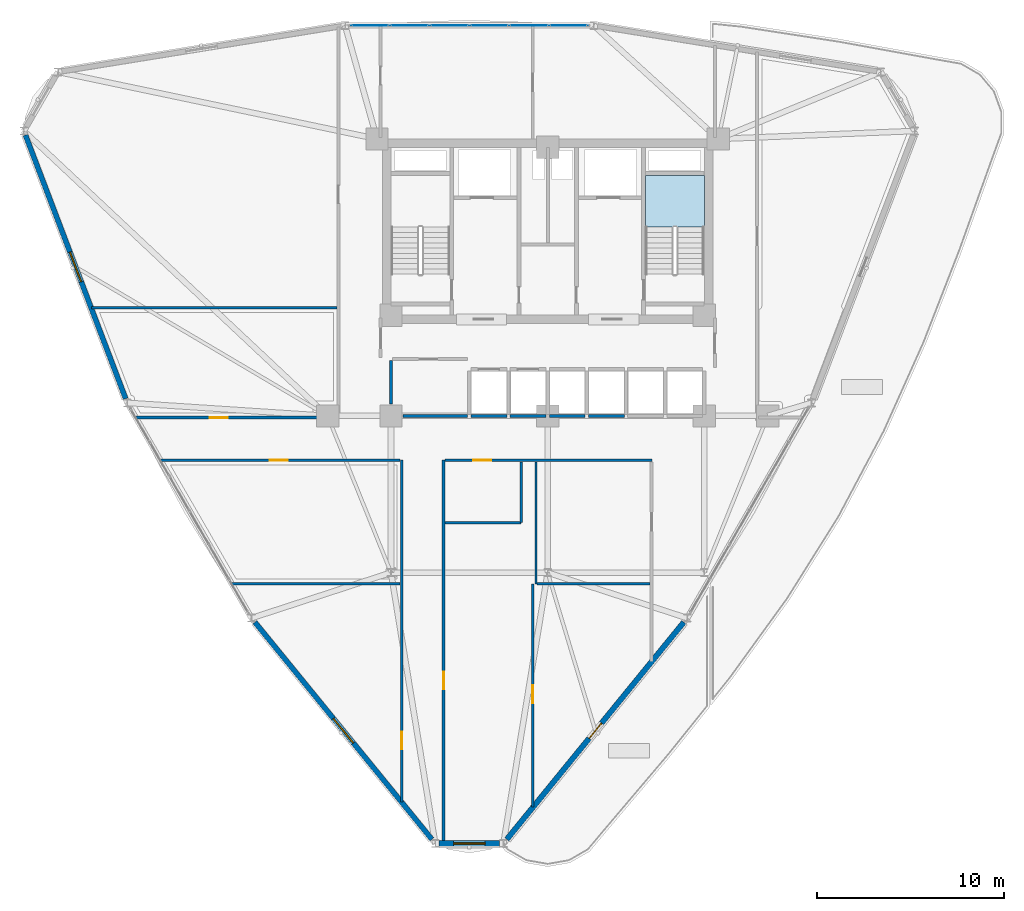
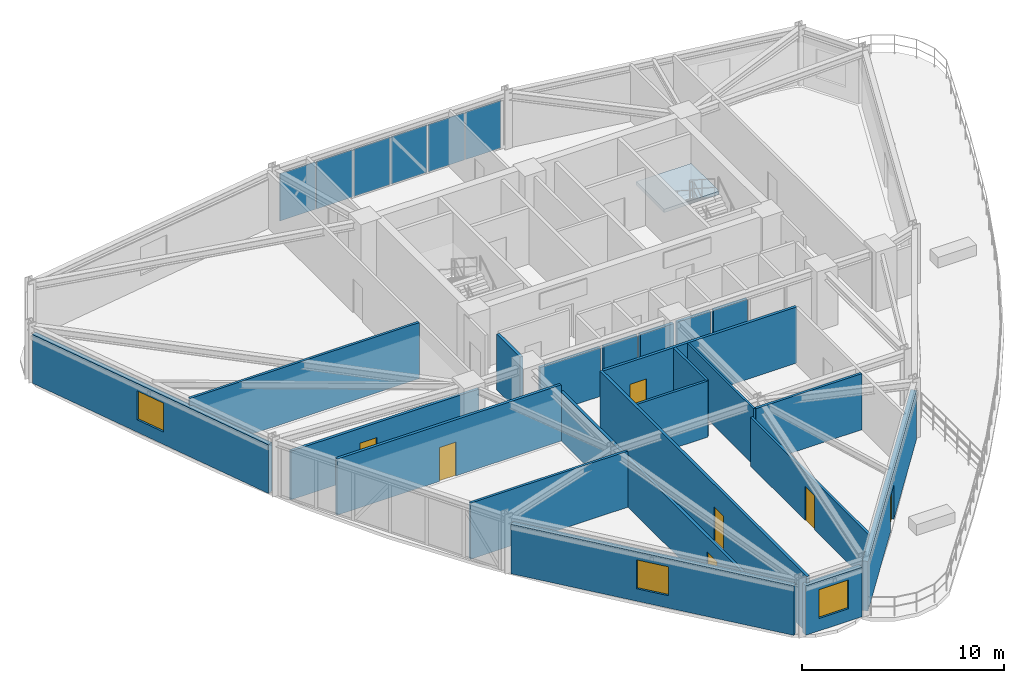
# One storey, part 12 of 18: 22 walls, 7 doors, 6 plates, 3 windows, 1 slab, 10 openings, 2 elements without a shape of their own.
"""IFC4 building model written with IfcOpenShell, lengths in metres."""

from ifc_helpers import new_model, si_unit, derived_unit, direction, frame, frame_2d, origin, origin_2d, place, context, subcontext, project, spatial, polyline, rectangle, outline, extrude, source, transform, mapped, material, layer, layer_set, type_object, element, fill, aggregate, save


model = new_model("IFC4")

# Units and contexts
model_context = context("Model", 3, precision=1e-05, world=origin(), true_north=direction((0.0, 1.0)))
body_context = subcontext(model_context, "Body", "Model", "MODEL_VIEW")
ifc_project = project(units=[si_unit("LENGTHUNIT", "METRE"), si_unit("AREAUNIT", "SQUARE_METRE"), si_unit("VOLUMEUNIT", "CUBIC_METRE"), si_unit("PLANEANGLEUNIT", "RADIAN"), si_unit("MASSUNIT", "GRAM", prefix="KILO"), derived_unit("THERMALTRANSMITTANCEUNIT", [(si_unit("POWERUNIT", "WATT"), 1), (si_unit("LENGTHUNIT", "METRE"), -2), (si_unit("THERMODYNAMICTEMPERATUREUNIT", "KELVIN"), -1)])], contexts=[model_context])

# Site, building, storey
site_placement = place(None, origin())
site = spatial("IfcSite", under=ifc_project, at=site_placement, CompositionType="ELEMENT")
building_placement = place(site_placement, origin())
building = spatial("IfcBuilding", under=site, at=building_placement, Name="Korsvarv Bourse and Concert Hall", CompositionType="ELEMENT")
storey_placement = place(building_placement, frame((0.0, 0.0, 136.199951171875)))
storey = spatial("IfcBuildingStorey", under=building, at=storey_placement, Name="L34", CompositionType="ELEMENT", Elevation=136.199951171875)

# Stair, slab
ifc_material_1 = material(Name="Precast concrete C45/55", Category="concrete")
stair_type = type_object("IfcStairType", Name="STR-TYPE-04", PredefinedType="HALF_TURN_STAIR", material=ifc_material_1)
stair_placement = place(storey_placement, origin())
stair = element("IfcStair", 1, at=stair_placement, inside=storey, type_object=stair_type, Name="L34 Tower East Exit Stair ST-T2", PredefinedType="HALF_TURN_STAIR")
ifc_layer_1 = layer(ifc_material_1, 0.199951171875)
ifc_layer_set_1 = layer_set([ifc_layer_1], Name="Precast concrete C45/55")
slab_type = type_object("IfcSlabType", Name="SLB-ST-LND", PredefinedType="LANDING", material=ifc_layer_set_1)
slab_placement = place(storey_placement, frame((0.0, 0.0, 1.60009765625)))
slab = element("IfcSlab", 2, at=slab_placement, type_object=slab_type, Name="ST-T2 landing 1", PredefinedType="LANDING", context=body_context, shape_type="SweptSolid", body=[
    extrude(outline(polyline([(44.39990234375, 42.52001953125), (44.39990234375, 45.300048828125), (41.239990234375, 45.300048828125), (41.239990234375, 42.52001953125), (44.39990234375, 42.52001953125)])), origin(), (0.0, 0.0, 1.0), 0.199951171875),
])
aggregate(stair, [slab])

# Curtain wall, plates
ifc_material_2 = material(Name="Anodised aluminium and triple low-E glazing", Category="glass")
ifc_layer_2 = layer(ifc_material_2, 0.2099609375)
ifc_layer_set_2 = layer_set([ifc_layer_2], Name="Anodised aluminium and triple low-E glazing")
curtain_wall_type = type_object("IfcCurtainWallType", Name="CW-SYS-2", PredefinedType="NOTDEFINED", material=ifc_layer_set_2)
curtain_wall_placement = place(storey_placement, origin())
curtain_wall = element("IfcCurtainWall", 3, at=curtain_wall_placement, inside=storey, type_object=curtain_wall_type, Name="L34 CW2 curtain wall CW-L34-F03", PredefinedType="NOTDEFINED")
ifc_material_3 = material(Name="Tempered triple insulated low-E architectural glass", Category="glass")
ifc_layer_3 = layer(ifc_material_3, 0.0380859375)
ifc_layer_set_3 = layer_set([ifc_layer_3], Name="Tempered triple insulated low-E architectural glass")
plate_type_1 = type_object("IfcPlateType", Name="CWP-VIS2", PredefinedType="CURTAIN_PANEL", material=ifc_layer_set_3)
shared_shape_1 = source(origin(), body_context, "Body", "SweptSolid", [
    extrude(rectangle(XDim=2.031005859375, YDim=0.0380859375, at=origin_2d()), origin(), (0.0, 0.0, 1.0), 2.8701171875),
])
plate_1_placement = place(storey_placement, frame((37.122314453125, 53.3369140625, 0.06494140625), z_axis=(0.0, 0.0, 1.0), x_axis=(-1.0, 0.0, 0.0)))
plate_1 = element("IfcPlate", 4, at=plate_1_placement, type_object=plate_type_1, Name="CW2 faceted panel 1.1", PredefinedType="CURTAIN_PANEL", context=body_context, shape_type="MappedRepresentation", body=[
    mapped(shared_shape_1, transform((0.0, 0.0, 0.0), scale=1.0)),
])
shared_shape_2 = source(origin(), body_context, "Body", "SweptSolid", [
    extrude(rectangle(XDim=2.06591796875, YDim=0.0380859375, at=origin_2d()), origin(), (0.0, 0.0, 1.0), 2.8701171875),
])
plate_2_placement = place(storey_placement, frame((35.00390625, 53.3369140625, 0.06494140625), z_axis=(0.0, 0.0, 1.0), x_axis=(-1.0, 0.0, 0.0)))
plate_2 = element("IfcPlate", 5, at=plate_2_placement, type_object=plate_type_1, Name="CW2 faceted panel 2.1", PredefinedType="CURTAIN_PANEL", context=body_context, shape_type="MappedRepresentation", body=[
    mapped(shared_shape_2, transform((0.0, 0.0, 0.0), scale=1.0)),
])
plate_3_placement = place(storey_placement, frame((30.73193359375, 53.3369140625, 0.06494140625), z_axis=(0.0, 0.0, 1.0), x_axis=(-1.0, 0.0, 0.0)))
plate_3 = element("IfcPlate", 6, at=plate_3_placement, type_object=plate_type_1, Name="CW2 faceted panel 4.1", PredefinedType="CURTAIN_PANEL", context=body_context, shape_type="MappedRepresentation", body=[
    mapped(shared_shape_2, transform((0.0, 0.0, 0.0), scale=1.0)),
])
plate_4_placement = place(storey_placement, frame((28.59619140625, 53.3369140625, 0.06494140625), z_axis=(0.0, 0.0, 1.0), x_axis=(-1.0, 0.0, 0.0)))
plate_4 = element("IfcPlate", 7, at=plate_4_placement, type_object=plate_type_1, Name="CW2 faceted panel 5.1", PredefinedType="CURTAIN_PANEL", context=body_context, shape_type="MappedRepresentation", body=[
    mapped(shared_shape_2, transform((0.0, 0.0, 0.0), scale=1.0)),
])
ifc_material_4 = material(Name="Insulated spandrel glass", Category="glass")
ifc_layer_4 = layer(ifc_material_4, 0.031982421875)
ifc_layer_set_4 = layer_set([ifc_layer_4], Name="Insulated spandrel glass")
plate_type_2 = type_object("IfcPlateType", Name="CWP-SPD1", PredefinedType="CURTAIN_PANEL", material=ifc_layer_set_4)
shared_shape_3 = source(origin(), body_context, "Body", "SweptSolid", [
    extrude(rectangle(XDim=2.06591796875, YDim=0.031982421875, at=origin_2d()), origin(), (0.0, 0.0, 1.0), 2.8701171875),
])
plate_5_placement = place(storey_placement, frame((32.867919921875, 53.3369140625, 0.06494140625), z_axis=(0.0, 0.0, 1.0), x_axis=(-1.0, 0.0, 0.0)))
plate_5 = element("IfcPlate", 8, at=plate_5_placement, type_object=plate_type_2, Name="CW2 spandrel shadow-box panel 3.1", PredefinedType="CURTAIN_PANEL", context=body_context, shape_type="MappedRepresentation", body=[
    mapped(shared_shape_3, transform((0.0, 0.0, 0.0), scale=1.0)),
])
shared_shape_4 = source(origin(), body_context, "Body", "SweptSolid", [
    extrude(rectangle(XDim=2.031005859375, YDim=0.031982421875, at=origin_2d()), origin(), (0.0, 0.0, 1.0), 2.8701171875),
])
plate_6_placement = place(storey_placement, frame((26.477783203125, 53.3369140625, 0.06494140625), z_axis=(0.0, 0.0, 1.0), x_axis=(-1.0, 0.0, 0.0)))
plate_6 = element("IfcPlate", 9, at=plate_6_placement, type_object=plate_type_2, Name="CW2 spandrel shadow-box panel 6.1", PredefinedType="CURTAIN_PANEL", context=body_context, shape_type="MappedRepresentation", body=[
    mapped(shared_shape_4, transform((0.0, 0.0, 0.0), scale=1.0)),
])
aggregate(curtain_wall, [plate_1, plate_2, plate_5, plate_3, plate_4, plate_6])

# Wall, opening, window
ifc_material_5 = material(Name="Precast concrete C45/55 with terracotta rainscreen", Category="concrete")
ifc_layer_5 = layer(ifc_material_5, 0.300048828125)
ifc_layer_set_5 = layer_set([ifc_layer_5], Name="Precast concrete C45/55 with terracotta rainscreen")
wall_type_1 = type_object("IfcWallType", Name="WL-EXT-TC1", PredefinedType="SOLIDWALL", material=ifc_layer_set_5)
wall_1_placement = place(storey_placement, frame((30.181396484375, 9.47509765625, 0.0), z_axis=(0.0, 0.0, 1.0), x_axis=(1.0, 0.0, 0.0)))
wall_1 = element("IfcWall", 10, at=wall_1_placement, inside=storey, type_object=wall_type_1, Name="L34 terracotta exterior wall EW-L34-B09", PredefinedType="SOLIDWALL", context=body_context, shape_type="SweptSolid", body=[
    extrude(rectangle(XDim=3.2373046875, YDim=0.300048828125, at=frame_2d((1.61865234375, 0.0))), origin(), (0.0, 0.0, 1.0), 3.0),
])
opening_1_placement = place(wall_1_placement, frame((0.768798828125, 0.0, 0.75)))
opening_1 = element("IfcOpeningElement", 11, at=opening_1_placement, cuts=wall_1, Name="Opening W-01", PredefinedType="OPENING", context=body_context, shape_type="SweptSolid", body=[
    extrude(rectangle(XDim=1.699951171875, YDim=1.75, at=frame_2d((0.85009765625, 0.875))), frame((0.0, 0.16015625, 0.0), z_axis=(0.0, -1.0, 0.0), x_axis=(1.0, 0.0, 0.0)), (0.0, 0.0, 1.0), 0.320068359375),
])
ifc_material_6 = material(Name="Thermally broken aluminium frame with triple low-E glass", Category="glass")
window_type = type_object("IfcWindowType", Name="WIN-TW1", PartitioningType="SINGLE_PANEL", PredefinedType="WINDOW", material=ifc_material_6)
window_1_placement = place(opening_1_placement, origin())
window_1 = element("IfcWindow", 12, at=window_1_placement, inside=storey, type_object=window_type, Name="L34 punched facade window W-01", OverallHeight=1.75, OverallWidth=1.699951171875, PartitioningType="SINGLE_PANEL", PredefinedType="WINDOW", context=body_context, shape_type="SweptSolid", body=[
    extrude(rectangle(XDim=1.699951171875, YDim=1.75, at=frame_2d((0.85009765625, 0.875))), frame((0.0, 0.030029296875, 0.0), z_axis=(0.0, -1.0, 0.0), x_axis=(1.0, 0.0, 0.0)), (0.0, 0.0, 1.0), 0.06005859375),
])
fill(opening_1, window_1)

# Wall, opening, door
wall_2_placement = place(storey_placement, frame((33.81103515625, 9.697509765625, 0.0), z_axis=(0.0, 0.0, 1.0), x_axis=(0.631882431987, 0.775064250334, 0.0)))
wall_2 = element("IfcWall", 13, at=wall_2_placement, inside=storey, type_object=wall_type_1, Name="L34 terracotta exterior wall EW-L34-B10", PredefinedType="SOLIDWALL", context=body_context, shape_type="SweptSolid", body=[
    extrude(rectangle(XDim=15.0185546875, YDim=0.300048828125, at=frame_2d((7.50927734375, 0.0))), origin(), (0.0, 0.0, 1.0), 3.0),
])
opening_2_placement = place(wall_2_placement, frame((6.984375, 0.0, 0.0)))
opening_2 = element("IfcOpeningElement", 14, at=opening_2_placement, cuts=wall_2, Name="Opening ED-02", PredefinedType="OPENING", context=body_context, shape_type="SweptSolid", body=[
    extrude(rectangle(XDim=1.050048828125, YDim=2.10009765625, at=frame_2d((0.52490234375, 1.050048828125))), frame((0.0, 0.16015625, 0.0), z_axis=(0.0, -1.0, 0.0), x_axis=(1.0, 0.0, 0.0)), (0.0, 0.0, 1.0), 0.320068359375),
])
ifc_material_7 = material(Name="Thermally broken anodised aluminium and laminated safety glass", Category="aluminium")
door_type_1 = type_object("IfcDoorType", Name="DR-EXT-TERR", OperationType="NOTDEFINED", PredefinedType="DOOR", material=ifc_material_7)
door_1_placement = place(opening_2_placement, frame((1.050048828125, 0.0, 0.0), z_axis=(0.0, 0.0, 1.0), x_axis=(-1.0, 0.0, 0.0)))
door_1 = element("IfcDoor", 15, at=door_1_placement, inside=storey, type_object=door_type_1, Name="L34 Sky Garden Terrace Access Door", OperationType="SINGLE_SWING_RIGHT", OverallHeight=2.10009765625, OverallWidth=1.050048828125, PredefinedType="DOOR", context=body_context, shape_type="SweptSolid", body=[
    extrude(rectangle(XDim=1.050048828125, YDim=2.10009765625, at=frame_2d((0.52490234375, 1.050048828125))), frame((0.0, 0.02490234375, 0.0), z_axis=(0.0, -1.0, 0.0), x_axis=(1.0, 0.0, 0.0)), (0.0, 0.0, 1.0), 0.050048828125),
])
fill(opening_2, door_1)

# Wall, opening, window
ifc_material_8 = material(Name="Precast concrete C45/55 with fluted terracotta pier", Category="concrete")
ifc_layer_6 = layer(ifc_material_8, 0.280029296875)
ifc_layer_set_6 = layer_set([ifc_layer_6], Name="Precast concrete C45/55 with fluted terracotta pier")
wall_type_2 = type_object("IfcWallType", Name="WL-EXT-TC2", PredefinedType="SOLIDWALL", material=ifc_layer_set_6)
wall_3_placement = place(storey_placement, frame((7.998291015625, 47.45556640625, 0.0), z_axis=(0.0, 0.0, 1.0), x_axis=(0.355302150634, -0.934751508025, 0.0)))
wall_3 = element("IfcWall", 16, at=wall_3_placement, inside=storey, type_object=wall_type_2, Name="L34 terracotta exterior wall EW-L34-B06", PredefinedType="SOLIDWALL", context=body_context, shape_type="SweptSolid", body=[
    extrude(rectangle(XDim=15.116943359375, YDim=0.280029296875, at=frame_2d((7.55859375, 0.0))), origin(), (0.0, 0.0, 1.0), 2.949951171875),
])
opening_3_placement = place(wall_3_placement, frame((6.70849609375, 0.0, 0.75)))
opening_3 = element("IfcOpeningElement", 17, at=opening_3_placement, cuts=wall_3, Name="Opening W-01", PredefinedType="OPENING", context=body_context, shape_type="SweptSolid", body=[
    extrude(rectangle(XDim=1.699951171875, YDim=1.75, at=frame_2d((0.85009765625, 0.875))), frame((0.0, 0.14990234375, 0.0), z_axis=(0.0, -1.0, 0.0), x_axis=(1.0, 0.0, 0.0)), (0.0, 0.0, 1.0), 0.300048828125),
])
window_2_placement = place(opening_3_placement, origin())
window_2 = element("IfcWindow", 18, at=window_2_placement, inside=storey, type_object=window_type, Name="L34 punched facade window W-01", OverallHeight=1.75, OverallWidth=1.699951171875, PartitioningType="SINGLE_PANEL", PredefinedType="WINDOW", context=body_context, shape_type="SweptSolid", body=[
    extrude(rectangle(XDim=1.699951171875, YDim=1.75, at=frame_2d((0.85009765625, 0.875))), frame((0.0, 0.030029296875, 0.0), z_axis=(0.0, -1.0, 0.0), x_axis=(1.0, 0.0, 0.0)), (0.0, 0.0, 1.0), 0.06005859375),
])
fill(opening_3, window_2)

wall_4_placement = place(storey_placement, frame((20.299072265625, 21.337890625, 0.0), z_axis=(0.0, 0.0, 1.0), x_axis=(0.631872666528, -0.775072211665, 0.0)))
wall_4 = element("IfcWall", 19, at=wall_4_placement, inside=storey, type_object=wall_type_2, Name="L34 terracotta exterior wall EW-L34-B08", PredefinedType="SOLIDWALL", context=body_context, shape_type="SweptSolid", body=[
    extrude(rectangle(XDim=15.0185546875, YDim=0.280029296875, at=frame_2d((7.50927734375, 0.0))), origin(), (0.0, 0.0, 1.0), 3.0),
])
opening_4_placement = place(wall_4_placement, frame((6.6591796875, 0.0, 0.75)))
opening_4 = element("IfcOpeningElement", 20, at=opening_4_placement, cuts=wall_4, Name="Opening W-01", PredefinedType="OPENING", context=body_context, shape_type="SweptSolid", body=[
    extrude(rectangle(XDim=1.699951171875, YDim=1.75, at=frame_2d((0.85009765625, 0.875))), frame((0.0, 0.14990234375, 0.0), z_axis=(0.0, -1.0, 0.0), x_axis=(1.0, 0.0, 0.0)), (0.0, 0.0, 1.0), 0.300048828125),
])
window_3_placement = place(opening_4_placement, origin())
window_3 = element("IfcWindow", 21, at=window_3_placement, inside=storey, type_object=window_type, Name="L34 punched facade window W-01", OverallHeight=1.75, OverallWidth=1.699951171875, PartitioningType="SINGLE_PANEL", PredefinedType="WINDOW", context=body_context, shape_type="SweptSolid", body=[
    extrude(rectangle(XDim=1.699951171875, YDim=1.75, at=frame_2d((0.85009765625, 0.875))), frame((0.0, 0.030029296875, 0.0), z_axis=(0.0, -1.0, 0.0), x_axis=(1.0, 0.0, 0.0)), (0.0, 0.0, 1.0), 0.06005859375),
])
fill(opening_4, window_3)

# Walls
ifc_material_9 = material(Name="Double-stud fire-rated acoustic partition", Category="gypsum")
ifc_layer_7 = layer(ifc_material_9, 0.159912109375)
ifc_layer_set_7 = layer_set([ifc_layer_7], Name="Double-stud fire-rated acoustic partition")
wall_type_3 = type_object("IfcWallType", Name="WL-INT-EI60", PredefinedType="PARTITIONING", material=ifc_layer_set_7)
wall_5_placement = place(storey_placement, frame((28.25, 32.39990234375, 0.0), z_axis=(0.0, 0.0, 1.0), x_axis=(1.0, 0.0, 0.0)))
element("IfcWall", 22, at=wall_5_placement, inside=storey, type_object=wall_type_3, Name="L34 interior partition wall W-L34-FRD-S", PredefinedType="PARTITIONING", context=body_context, shape_type="SweptSolid", body=[
    extrude(rectangle(XDim=3.449951171875, YDim=0.159912109375, at=frame_2d((1.72509765625, 0.0))), origin(), (0.0, 0.0, 1.0), 2.949951171875),
])
wall_6_placement = place(storey_placement, frame((27.60009765625, 33.050048828125, 0.0), z_axis=(0.0, 0.0, 1.0), x_axis=(0.0, 1.0, 0.0)))
element("IfcWall", 23, at=wall_6_placement, inside=storey, type_object=wall_type_3, Name="L34 interior partition wall W-L34-FRD-W", PredefinedType="PARTITIONING", context=body_context, shape_type="SweptSolid", body=[
    extrude(rectangle(XDim=2.31005859375, YDim=0.159912109375, at=frame_2d((1.155029296875, 0.0))), origin(), (0.0, 0.0, 1.0), 3.400146484375),
])

# Wall, opening, door
wall_7_placement = place(storey_placement, frame((30.425048828125, 9.4951171875, 0.0), z_axis=(0.0, 0.0, 1.0), x_axis=(0.0, 1.0, 0.0)))
wall_7 = element("IfcWall", 24, at=wall_7_placement, inside=storey, type_object=wall_type_3, Name="L34 interior partition wall W-L34-TCOR-02", PredefinedType="PARTITIONING", context=body_context, shape_type="SweptSolid", body=[
    extrude(rectangle(XDim=20.534912109375, YDim=0.159912109375, at=frame_2d((10.267578125, 0.0))), origin(), (0.0, 0.0, 1.0), 3.400146484375),
])
opening_5_placement = place(wall_7_placement, frame((8.25244140625, 0.0, 0.0)))
opening_5 = element("IfcOpeningElement", 25, at=opening_5_placement, cuts=wall_7, Name="Opening D-02", PredefinedType="OPENING", context=body_context, shape_type="SweptSolid", body=[
    extrude(rectangle(XDim=0.949951171875, YDim=2.050048828125, at=frame_2d((0.47509765625, 1.02490234375))), frame((0.0, 0.08984375, 0.0), z_axis=(0.0, -1.0, 0.0), x_axis=(1.0, 0.0, 0.0)), (0.0, 0.0, 1.0), 0.179931640625),
])
ifc_material_10 = material(Name="Timber and steel acoustic fire door", Category="wood")
door_type_2 = type_object("IfcDoorType", Name="DR-FD30", OperationType="NOTDEFINED", PredefinedType="DOOR", material=ifc_material_10)
door_2_placement = place(opening_5_placement, origin())
door_2 = element("IfcDoor", 26, at=door_2_placement, inside=storey, type_object=door_type_2, Name="L34 interior door DR-L34-TCOR-MI14", OperationType="SINGLE_SWING_LEFT", OverallHeight=2.050048828125, OverallWidth=0.949951171875, PredefinedType="DOOR", context=body_context, shape_type="SweptSolid", body=[
    extrude(rectangle(XDim=0.949951171875, YDim=2.050048828125, at=frame_2d((0.47509765625, 1.02490234375))), frame((0.0, 0.02490234375, 0.0), z_axis=(0.0, -1.0, 0.0), x_axis=(1.0, 0.0, 0.0)), (0.0, 0.0, 1.0), 0.050048828125),
])
fill(opening_5, door_2)

wall_8_placement = place(storey_placement, frame((28.175048828125, 11.697021484375, 0.0), z_axis=(0.0, 0.0, 1.0), x_axis=(0.0, 1.0, 0.0)))
wall_8 = element("IfcWall", 27, at=wall_8_placement, inside=storey, type_object=wall_type_3, Name="L34 interior partition wall W-L34-TCOR-04", PredefinedType="PARTITIONING", context=body_context, shape_type="SweptSolid", body=[
    extrude(rectangle(XDim=18.3330078125, YDim=0.159912109375, at=frame_2d((9.16650390625, 0.0))), origin(), (0.0, 0.0, 1.0), 2.949951171875),
])
opening_6_placement = place(wall_8_placement, frame((2.82373046875, 0.0, 0.0)))
opening_6 = element("IfcOpeningElement", 28, at=opening_6_placement, cuts=wall_8, Name="Opening D-02", PredefinedType="OPENING", context=body_context, shape_type="SweptSolid", body=[
    extrude(rectangle(XDim=0.949951171875, YDim=2.050048828125, at=frame_2d((0.47509765625, 1.02490234375))), frame((0.0, 0.08984375, 0.0), z_axis=(0.0, -1.0, 0.0), x_axis=(1.0, 0.0, 0.0)), (0.0, 0.0, 1.0), 0.179931640625),
])
door_3_placement = place(opening_6_placement, origin())
door_3 = element("IfcDoor", 29, at=door_3_placement, inside=storey, type_object=door_type_2, Name="L34 interior door DR-L34-TCOR-MI57", OperationType="SINGLE_SWING_LEFT", OverallHeight=2.050048828125, OverallWidth=0.949951171875, PredefinedType="DOOR", context=body_context, shape_type="SweptSolid", body=[
    extrude(rectangle(XDim=0.949951171875, YDim=2.050048828125, at=frame_2d((0.47509765625, 1.02490234375))), frame((0.0, 0.02490234375, 0.0), z_axis=(0.0, -1.0, 0.0), x_axis=(1.0, 0.0, 0.0)), (0.0, 0.0, 1.0), 0.050048828125),
])
fill(opening_6, door_3)

wall_9_placement = place(storey_placement, frame((15.250732421875, 30.02490234375, 0.0), z_axis=(0.0, 0.0, 1.0), x_axis=(1.0, 0.0, 0.0)))
wall_9 = element("IfcWall", 30, at=wall_9_placement, inside=storey, type_object=wall_type_3, Name="L34 interior partition wall W-L34-TCOR-05", PredefinedType="PARTITIONING", context=body_context, shape_type="SweptSolid", body=[
    extrude(rectangle(XDim=12.84228515625, YDim=0.159912109375, at=frame_2d((6.421142578125, 0.0))), origin(), (0.0, 0.0, 1.0), 3.400146484375),
])
opening_7_placement = place(wall_9_placement, frame((5.854248046875, 0.0, 0.0)))
opening_7 = element("IfcOpeningElement", 31, at=opening_7_placement, cuts=wall_9, Name="Opening D-02", PredefinedType="OPENING", context=body_context, shape_type="SweptSolid", body=[
    extrude(rectangle(XDim=0.949951171875, YDim=2.050048828125, at=frame_2d((0.47509765625, 1.02490234375))), frame((0.0, 0.08984375, 0.0), z_axis=(0.0, -1.0, 0.0), x_axis=(1.0, 0.0, 0.0)), (0.0, 0.0, 1.0), 0.179931640625),
])
door_4_placement = place(opening_7_placement, origin())
door_4 = element("IfcDoor", 32, at=door_4_placement, inside=storey, type_object=door_type_2, Name="L34 interior door DR-L34-TCOR-MI48", OperationType="SINGLE_SWING_RIGHT", OverallHeight=2.050048828125, OverallWidth=0.949951171875, PredefinedType="DOOR", context=body_context, shape_type="SweptSolid", body=[
    extrude(rectangle(XDim=0.949951171875, YDim=2.050048828125, at=frame_2d((0.47509765625, 1.02490234375))), frame((0.0, 0.02490234375, 0.0), z_axis=(0.0, -1.0, 0.0), x_axis=(1.0, 0.0, 0.0)), (0.0, 0.0, 1.0), 0.050048828125),
])
fill(opening_7, door_4)

wall_10_placement = place(storey_placement, frame((30.507080078125, 30.02490234375, 0.0), z_axis=(0.0, 0.0, 1.0), x_axis=(1.0, 0.0, 0.0)))
wall_10 = element("IfcWall", 33, at=wall_10_placement, inside=storey, type_object=wall_type_3, Name="L34 interior partition wall W-L34-TCOR-06", PredefinedType="PARTITIONING", context=body_context, shape_type="SweptSolid", body=[
    extrude(rectangle(XDim=11.072998046875, YDim=0.159912109375, at=frame_2d((5.53662109375, 0.0))), origin(), (0.0, 0.0, 1.0), 3.400146484375),
])
opening_8_placement = place(wall_10_placement, frame((1.51220703125, 0.0, 0.0)))
opening_8 = element("IfcOpeningElement", 34, at=opening_8_placement, cuts=wall_10, Name="Opening D-02", PredefinedType="OPENING", context=body_context, shape_type="SweptSolid", body=[
    extrude(rectangle(XDim=0.949951171875, YDim=2.050048828125, at=frame_2d((0.47509765625, 1.02490234375))), frame((0.0, 0.08984375, 0.0), z_axis=(0.0, -1.0, 0.0), x_axis=(1.0, 0.0, 0.0)), (0.0, 0.0, 1.0), 0.179931640625),
])
door_5_placement = place(opening_8_placement, origin())
door_5 = element("IfcDoor", 35, at=door_5_placement, inside=storey, type_object=door_type_2, Name="L34 interior door DR-L34-TCOR-RWC", OperationType="SINGLE_SWING_LEFT", OverallHeight=2.050048828125, OverallWidth=0.949951171875, PredefinedType="DOOR", context=body_context, shape_type="SweptSolid", body=[
    extrude(rectangle(XDim=0.949951171875, YDim=2.050048828125, at=frame_2d((0.47509765625, 1.02490234375))), frame((0.0, 0.02490234375, 0.0), z_axis=(0.0, -1.0, 0.0), x_axis=(1.0, 0.0, 0.0)), (0.0, 0.0, 1.0), 0.050048828125),
])
fill(opening_8, door_5)

wall_11_placement = place(storey_placement, frame((13.9287109375, 32.31494140625, 0.0), z_axis=(0.0, 0.0, 1.0), x_axis=(1.0, 0.0, 0.0)))
wall_11 = element("IfcWall", 36, at=wall_11_placement, inside=storey, type_object=wall_type_3, Name="L34 interior partition wall W-L34-TCOR-07", PredefinedType="PARTITIONING", context=body_context, shape_type="SweptSolid", body=[
    extrude(rectangle(XDim=10.764404296875, YDim=0.159912109375, at=frame_2d((5.38232421875, 0.0))), origin(), (0.0, 0.0, 1.0), 2.949951171875),
])
opening_9_placement = place(wall_11_placement, frame((3.964111328125, 0.0, 0.0)))
opening_9 = element("IfcOpeningElement", 37, at=opening_9_placement, cuts=wall_11, Name="Opening D-02", PredefinedType="OPENING", context=body_context, shape_type="SweptSolid", body=[
    extrude(rectangle(XDim=0.949951171875, YDim=2.050048828125, at=frame_2d((0.47509765625, 1.02490234375))), frame((0.0, 0.08984375, 0.0), z_axis=(0.0, -1.0, 0.0), x_axis=(1.0, 0.0, 0.0)), (0.0, 0.0, 1.0), 0.179931640625),
])
door_6_placement = place(opening_9_placement, origin())
door_6 = element("IfcDoor", 38, at=door_6_placement, inside=storey, type_object=door_type_2, Name="L34 interior door DR-L34-TCOR-MI69", OperationType="SINGLE_SWING_RIGHT", OverallHeight=2.050048828125, OverallWidth=0.949951171875, PredefinedType="DOOR", context=body_context, shape_type="SweptSolid", body=[
    extrude(rectangle(XDim=0.949951171875, YDim=2.050048828125, at=frame_2d((0.47509765625, 1.02490234375))), frame((0.0, 0.02490234375, 0.0), z_axis=(0.0, -1.0, 0.0), x_axis=(1.0, 0.0, 0.0)), (0.0, 0.0, 1.0), 0.050048828125),
])
fill(opening_9, door_6)

# Walls
ifc_material_11 = material(Name="Gypsum-clad autoclaved concrete shaft wall C30/37", Category="concrete")
ifc_layer_8 = layer(ifc_material_11, 0.179931640625)
ifc_layer_set_8 = layer_set([ifc_layer_8], Name="Gypsum-clad autoclaved concrete shaft wall C30/37")
wall_type_4 = type_object("IfcWallType", Name="WL-INT-EI90", PredefinedType="PARTITIONING", material=ifc_layer_set_8)
wall_12_placement = place(storey_placement, frame((31.889892578125, 32.39990234375, 0.0), z_axis=(0.0, 0.0, 1.0), x_axis=(1.0, 0.0, 0.0)))
element("IfcWall", 39, at=wall_12_placement, inside=storey, type_object=wall_type_4, Name="L34 interior partition wall W-L34-SHFS-PM1", PredefinedType="PARTITIONING", context=body_context, shape_type="SweptSolid", body=[
    extrude(rectangle(XDim=1.920166015625, YDim=0.179931640625, at=frame_2d((0.9599609375, 0.0))), origin(), (0.0, 0.0, 1.0), 2.949951171875),
])
for number, where, z_axis, x_axis, name in (
    (40, (33.989990234375, 32.39990234375, 0.0), (0.0, 0.0, 1.0), (1.0, 0.0, 0.0), "L34 interior partition wall W-L34-SHFS-PM2"),
    (41, (36.090087890625, 32.39990234375, 0.0), (0.0, 0.0, 1.0), (1.0, 0.0, 0.0), "L34 interior partition wall W-L34-SHFS-PH1"),
):
    element("IfcWall", number, at=place(storey_placement, frame(where, z_axis=z_axis, x_axis=x_axis)), inside=storey, type_object=wall_type_4, Name=name, PredefinedType="PARTITIONING", context=body_context, shape_type="SweptSolid", body=[
        extrude(rectangle(XDim=1.919921875, YDim=0.179931640625, at=frame_2d((0.9599609375, 0.0))), origin(), (0.0, 0.0, 1.0), 2.949951171875),
    ])
wall_13_placement = place(storey_placement, frame((38.18994140625, 32.39990234375, 0.0), z_axis=(0.0, 0.0, 1.0), x_axis=(1.0, 0.0, 0.0)))
element("IfcWall", 42, at=wall_13_placement, inside=storey, type_object=wall_type_4, Name="L34 interior partition wall W-L34-SHFS-PH2", PredefinedType="PARTITIONING", context=body_context, shape_type="SweptSolid", body=[
    extrude(rectangle(XDim=1.920166015625, YDim=0.179931640625, at=frame_2d((0.9599609375, 0.0))), origin(), (0.0, 0.0, 1.0), 2.949951171875),
])
ifc_material_12 = material(Name="Demountable acoustic glass and aluminium dealing partition", Category="aluminium")
ifc_layer_9 = layer(ifc_material_12, 0.110107421875)
ifc_layer_set_9 = layer_set([ifc_layer_9], Name="Demountable acoustic glass and aluminium dealing partition")
wall_type_5 = type_object("IfcWallType", Name="WL-INT-MOV", PredefinedType="MOVABLE", material=ifc_layer_set_9)
wall_14_placement = place(storey_placement, frame((35.364990234375, 23.389892578125, 0.0), z_axis=(0.0, 0.0, 1.0), x_axis=(0.0, 1.0, 0.0)))
element("IfcWall", 43, at=wall_14_placement, inside=storey, type_object=wall_type_5, Name="L34 interior partition wall W-L34-TCOR-15", PredefinedType="MOVABLE", context=body_context, shape_type="SweptSolid", body=[
    extrude(rectangle(XDim=6.55322265625, YDim=0.110107421875, at=frame_2d((3.276611328125, 0.0))), origin(), (0.0, 0.0, 1.0), 3.400146484375),
])
ifc_material_13 = material(Name="Insulated steel-stud office acoustic partition", Category="gypsum")
ifc_layer_10 = layer(ifc_material_13, 0.139892578125)
ifc_layer_set_10 = layer_set([ifc_layer_10], Name="Insulated steel-stud office acoustic partition")
wall_type_6 = type_object("IfcWallType", Name="WL-INT-P1", PredefinedType="PARTITIONING", material=ifc_layer_set_10)
wall_15_placement = place(storey_placement, frame((11.534423828125, 38.205078125, 0.0), z_axis=(0.0, 0.0, 1.0), x_axis=(1.0, 0.0, 0.0)))
element("IfcWall", 44, at=wall_15_placement, inside=storey, type_object=wall_type_6, Name="L34 interior partition wall W-L34-TCOR-12", PredefinedType="PARTITIONING", context=body_context, shape_type="SweptSolid", body=[
    extrude(rectangle(XDim=13.15869140625, YDim=0.139892578125, at=frame_2d((6.579345703125, 0.0))), origin(), (0.0, 0.0, 1.0), 3.400146484375),
])

# Wall, opening, door
wall_16_placement = place(storey_placement, frame((35.205078125, 11.42724609375, 0.0), z_axis=(0.0, 0.0, 1.0), x_axis=(0.0, 1.0, 0.0)))
wall_16 = element("IfcWall", 45, at=wall_16_placement, inside=storey, type_object=wall_type_6, Name="L34 interior partition wall W-L34-TCOR-13", PredefinedType="PARTITIONING", context=body_context, shape_type="SweptSolid", body=[
    extrude(rectangle(XDim=11.962646484375, YDim=0.139892578125, at=frame_2d((5.9814453125, 0.0))), origin(), (0.0, 0.0, 1.0), 2.949951171875),
])
opening_10_placement = place(wall_16_placement, frame((5.57275390625, 0.0, 0.0)))
opening_10 = element("IfcOpeningElement", 46, at=opening_10_placement, cuts=wall_16, Name="Opening D-03", PredefinedType="OPENING", context=body_context, shape_type="SweptSolid", body=[
    extrude(rectangle(XDim=0.949951171875, YDim=2.050048828125, at=frame_2d((0.47509765625, 1.02490234375))), frame((0.0, 0.080078125, 0.0), z_axis=(0.0, -1.0, 0.0), x_axis=(1.0, 0.0, 0.0)), (0.0, 0.0, 1.0), 0.159912109375),
])
ifc_material_14 = material(Name="Nordic oak acoustic office door", Category="wood")
door_type_3 = type_object("IfcDoorType", Name="DR-INT-1", OperationType="NOTDEFINED", PredefinedType="DOOR", material=ifc_material_14)
door_7_placement = place(opening_10_placement, origin())
door_7 = element("IfcDoor", 47, at=door_7_placement, inside=storey, type_object=door_type_3, Name="L34 interior door DR-L34-TCOR-MI35", OperationType="SINGLE_SWING_LEFT", OverallHeight=2.050048828125, OverallWidth=0.949951171875, PredefinedType="DOOR", context=body_context, shape_type="SweptSolid", body=[
    extrude(rectangle(XDim=0.949951171875, YDim=2.050048828125, at=frame_2d((0.47509765625, 1.02490234375))), frame((0.0, 0.02490234375, 0.0), z_axis=(0.0, -1.0, 0.0), x_axis=(1.0, 0.0, 0.0)), (0.0, 0.0, 1.0), 0.050048828125),
])
fill(opening_10, door_7)

# Walls
wall_17_placement = place(storey_placement, frame((19.07275390625, 23.405029296875, 0.0), z_axis=(0.0, 0.0, 1.0), x_axis=(1.0, 0.0, 0.0)))
element("IfcWall", 48, at=wall_17_placement, inside=storey, type_object=wall_type_6, Name="L34 interior partition wall W-L34-TCOR-14", PredefinedType="PARTITIONING", context=body_context, shape_type="SweptSolid", body=[
    extrude(rectangle(XDim=9.020263671875, YDim=0.139892578125, at=frame_2d((4.51025390625, 0.0))), origin(), (0.0, 0.0, 1.0), 3.400146484375),
])
wall_18_placement = place(storey_placement, frame((35.43701171875, 23.405029296875, 0.0), z_axis=(0.0, 0.0, 1.0), x_axis=(1.0, 0.0, 0.0)))
element("IfcWall", 49, at=wall_18_placement, inside=storey, type_object=wall_type_6, Name="L34 interior partition wall W-L34-TCOR-16", PredefinedType="PARTITIONING", context=body_context, shape_type="SweptSolid", body=[
    extrude(rectangle(XDim=6.055908203125, YDim=0.139892578125, at=frame_2d((3.02783203125, 0.0))), origin(), (0.0, 0.0, 1.0), 3.400146484375),
])
wall_19_placement = place(storey_placement, frame((30.507080078125, 26.675048828125, 0.0), z_axis=(0.0, 0.0, 1.0), x_axis=(1.0, 0.0, 0.0)))
element("IfcWall", 50, at=wall_19_placement, inside=storey, type_object=wall_type_6, Name="L34 interior partition wall W-L34-TCOR-18", PredefinedType="PARTITIONING", context=body_context, shape_type="SweptSolid", body=[
    extrude(rectangle(XDim=4.052978515625, YDim=0.139892578125, at=frame_2d((2.0263671875, 0.0))), origin(), (0.0, 0.0, 1.0), 3.400146484375),
])
wall_20_placement = place(storey_placement, frame((34.574951171875, 26.68994140625, 0.0), z_axis=(0.0, 0.0, 1.0), x_axis=(0.0, 1.0, 0.0)))
element("IfcWall", 51, at=wall_20_placement, inside=storey, type_object=wall_type_6, Name="L34 interior partition wall W-L34-TCOR-19", PredefinedType="PARTITIONING", context=body_context, shape_type="SweptSolid", body=[
    extrude(rectangle(XDim=3.253173828125, YDim=0.139892578125, at=frame_2d((1.62646484375, 0.0))), origin(), (0.0, 0.0, 1.0), 3.400146484375),
])

save(model, "model.ifc")
